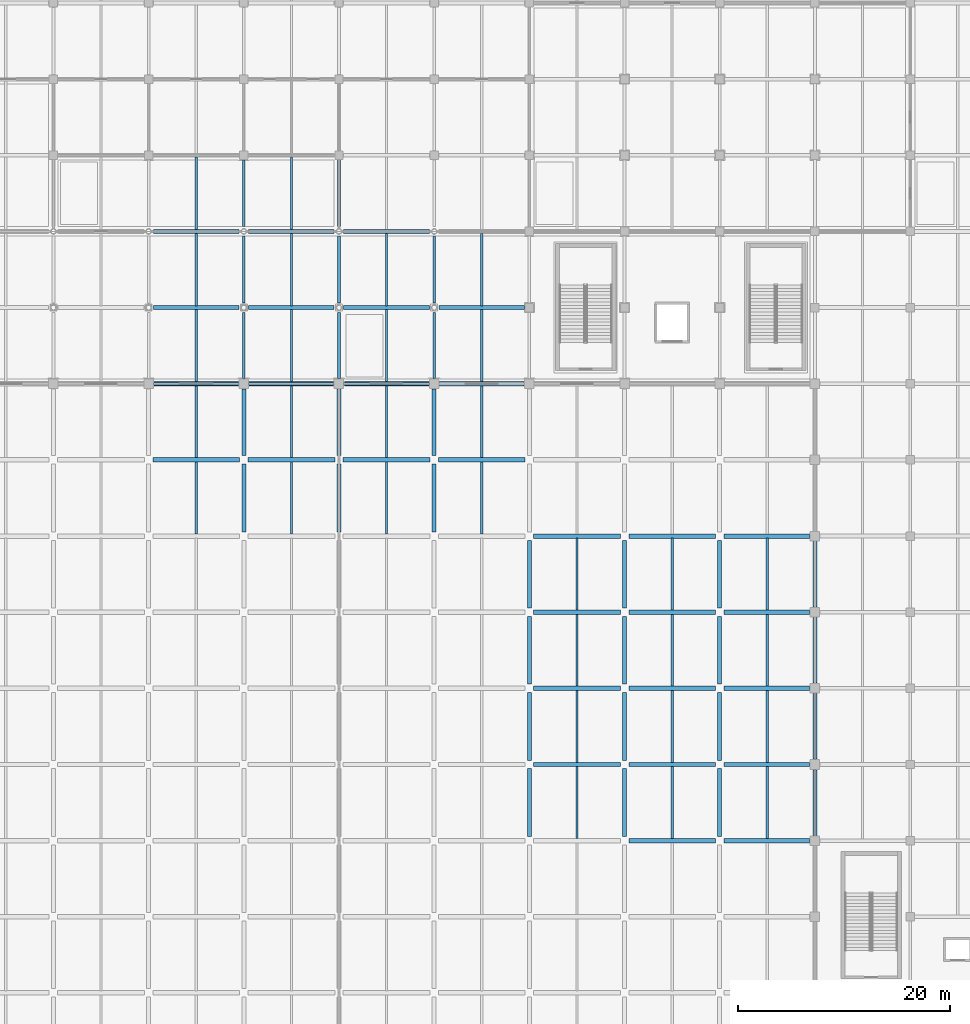
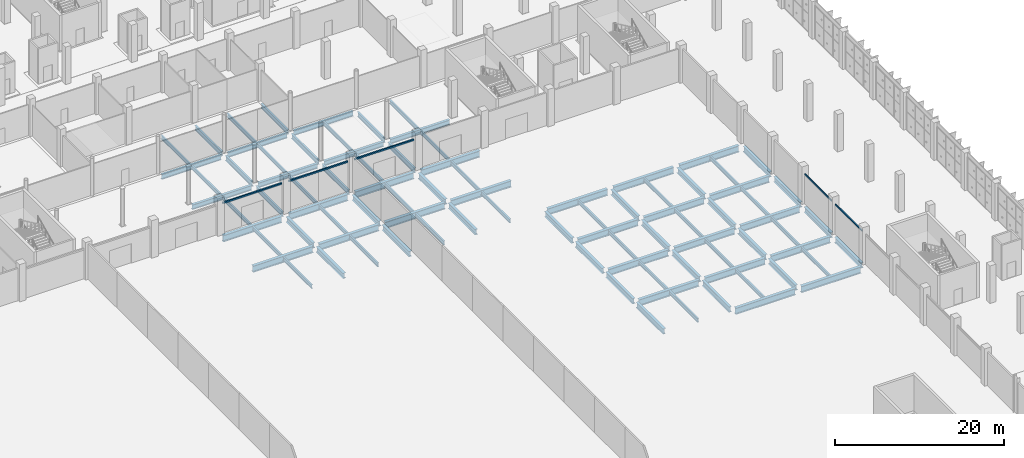
# One storey, part 24 of 137: 94 beams.
"""IFC4 building model written with IfcOpenShell, lengths in metres."""

from ifc_helpers import new_model, si_unit, direction, frame, origin, origin_2d, place, context, subcontext, project, spatial, hollow_rectangle, i_section, extrude, material, material_profile, profile_set, type_object, element, save


model = new_model("IFC4")

# Units and contexts
model_context = context("Model", 3, precision=1e-05, world=origin(), true_north=direction((0.0, 1.0)))
body_context = subcontext(model_context, "Body", "Model", "MODEL_VIEW")
ifc_project = project(units=[si_unit("LENGTHUNIT", "METRE"), si_unit("AREAUNIT", "SQUARE_METRE"), si_unit("VOLUMEUNIT", "CUBIC_METRE"), si_unit("PLANEANGLEUNIT", "RADIAN"), si_unit("MASSUNIT", "GRAM", prefix="KILO")], contexts=[model_context])

# Site, building, storey
site_placement = place(None, origin())
site = spatial("IfcSite", under=ifc_project, at=site_placement, CompositionType="ELEMENT")
building_placement = place(site_placement, origin())
building = spatial("IfcBuilding", under=site, at=building_placement, Name="Celestram Park Convention Centre", CompositionType="ELEMENT")
storey_placement = place(building_placement, origin())
storey = spatial("IfcBuildingStorey", under=building, at=storey_placement, Name="L00", CompositionType="ELEMENT", Elevation=0.0)

# Beams
ifc_material_1 = material(Name="Steel ASTM A992 Grade 50", Category="steel")
ifc_material_profile_1 = material_profile(ifc_material_1, i_section(OverallWidth=0.35595703125, OverallDepth=0.696044921875, WebThickness=0.015380859375, FlangeThickness=0.02490234375, at=origin_2d()), Name="W27X146")
ifc_profile_set_1 = profile_set([ifc_material_profile_1], Name="Steel ASTM A992 Grade 50")
beam_type_1 = type_object("IfcBeamType", Name="STR-BM-W27X146", PredefinedType="BEAM", material=ifc_profile_set_1)
for number, where, z_axis, x_axis, name in (
    (1, (63.447998046875, 115.199951171875, -0.66796875), (1.0, 0.0, 0.0), (0.0, 1.0, 0.0), "Primary X-girder BG-L00-0301"),
    (2, (63.447998046875, 122.39990234375, -0.66796875), (1.0, 0.0, 0.0), (0.0, 1.0, 0.0), "Primary X-girder BG-L00-0303"),
    (3, (72.447998046875, 115.199951171875, -0.66796875), (1.0, 0.0, 0.0), (0.0, 1.0, 0.0), "Primary X-girder BG-L00-0346"),
    (4, (72.447998046875, 122.39990234375, -0.66796875), (1.0, 0.0, 0.0), (0.0, 1.0, 0.0), "Primary X-girder BG-L00-0348"),
    (5, (81.447998046875, 115.199951171875, -0.66796875), (1.0, 0.0, 0.0), (0.0, 1.0, 0.0), "Primary X-girder BG-L00-0393"),
    (6, (81.447998046875, 122.39990234375, -0.66796875), (1.0, 0.0, 0.0), (0.0, 1.0, 0.0), "Primary X-girder BG-L00-0395"),
    (7, (90.447998046875, 115.199951171875, -0.66796875), (1.0, 0.0, 0.0), (0.0, 1.0, 0.0), "Primary X-girder BG-L00-0438"),
):
    element("IfcBeam", number, at=place(storey_placement, frame(where, z_axis=z_axis, x_axis=x_axis)), inside=storey, type_object=beam_type_1, Name=name, PredefinedType="BEAM", context=body_context, shape_type="SweptSolid", body=[
        extrude(i_section(OverallWidth=0.35595703125, OverallDepth=0.696044921875, WebThickness=0.015380859375, FlangeThickness=0.02490234375, at=origin_2d()), origin(), (0.0, 0.0, 1.0), 8.10400390625),
    ])
ifc_material_profile_2 = material_profile(ifc_material_1, i_section(OverallWidth=0.25390625, OverallDepth=0.68310546875, WebThickness=0.012451171875, FlangeThickness=0.01904296875, at=origin_2d()), Name="W27X94")
ifc_profile_set_2 = profile_set([ifc_material_profile_2], Name="Steel ASTM A992 Grade 50")
beam_type_2 = type_object("IfcBeamType", Name="STR-BM-W27X94", PredefinedType="BEAM", material=ifc_profile_set_2)
beam_1_placement = place(storey_placement, frame((72.0, 108.498046875, -0.66162109375), z_axis=(0.0, 1.0, 0.0), x_axis=(-1.0, 0.0, 0.0)))
element("IfcBeam", 8, at=beam_1_placement, inside=storey, type_object=beam_type_2, Name="Primary Y-girder BG-L00-0345", PredefinedType="BEAM", context=body_context, shape_type="SweptSolid", body=[
    extrude(i_section(OverallWidth=0.25390625, OverallDepth=0.68310546875, WebThickness=0.012451171875, FlangeThickness=0.01904296875, at=origin_2d()), origin(), (0.0, 0.0, 1.0), 6.25390625),
])
beam_2_placement = place(storey_placement, frame((72.0, 115.64794921875, -0.66162109375), z_axis=(0.0, 1.0, 0.0), x_axis=(-1.0, 0.0, 0.0)))
element("IfcBeam", 9, at=beam_2_placement, inside=storey, type_object=beam_type_2, Name="Primary Y-girder BG-L00-0347", PredefinedType="BEAM", context=body_context, shape_type="SweptSolid", body=[
    extrude(i_section(OverallWidth=0.25390625, OverallDepth=0.68310546875, WebThickness=0.012451171875, FlangeThickness=0.01904296875, at=origin_2d()), origin(), (0.0, 0.0, 1.0), 6.303955078125),
])
beam_3_placement = place(storey_placement, frame((72.0, 122.847900390625, -0.66162109375), z_axis=(0.0, 1.0, 0.0), x_axis=(-1.0, 0.0, 0.0)))
element("IfcBeam", 10, at=beam_3_placement, inside=storey, type_object=beam_type_2, Name="Primary Y-girder BG-L00-0349", PredefinedType="BEAM", context=body_context, shape_type="SweptSolid", body=[
    extrude(i_section(OverallWidth=0.25390625, OverallDepth=0.68310546875, WebThickness=0.012451171875, FlangeThickness=0.01904296875, at=origin_2d()), origin(), (0.0, 0.0, 1.0), 6.30419921875),
])
beam_4_placement = place(storey_placement, frame((81.0, 108.498046875, -0.66162109375), z_axis=(0.0, 1.0, 0.0), x_axis=(-1.0, 0.0, 0.0)))
element("IfcBeam", 11, at=beam_4_placement, inside=storey, type_object=beam_type_2, Name="Primary Y-girder BG-L00-0392", PredefinedType="BEAM", context=body_context, shape_type="SweptSolid", body=[
    extrude(i_section(OverallWidth=0.25390625, OverallDepth=0.68310546875, WebThickness=0.012451171875, FlangeThickness=0.01904296875, at=origin_2d()), origin(), (0.0, 0.0, 1.0), 6.25390625),
])
beam_5_placement = place(storey_placement, frame((81.0, 115.64794921875, -0.66162109375), z_axis=(0.0, 1.0, 0.0), x_axis=(-1.0, 0.0, 0.0)))
element("IfcBeam", 12, at=beam_5_placement, inside=storey, type_object=beam_type_2, Name="Primary Y-girder BG-L00-0394", PredefinedType="BEAM", context=body_context, shape_type="SweptSolid", body=[
    extrude(i_section(OverallWidth=0.25390625, OverallDepth=0.68310546875, WebThickness=0.012451171875, FlangeThickness=0.01904296875, at=origin_2d()), origin(), (0.0, 0.0, 1.0), 6.303955078125),
])
beam_6_placement = place(storey_placement, frame((81.0, 122.847900390625, -0.66162109375), z_axis=(0.0, 1.0, 0.0), x_axis=(-1.0, 0.0, 0.0)))
element("IfcBeam", 13, at=beam_6_placement, inside=storey, type_object=beam_type_2, Name="Primary Y-girder BG-L00-0396", PredefinedType="BEAM", context=body_context, shape_type="SweptSolid", body=[
    extrude(i_section(OverallWidth=0.25390625, OverallDepth=0.68310546875, WebThickness=0.012451171875, FlangeThickness=0.01904296875, at=origin_2d()), origin(), (0.0, 0.0, 1.0), 6.30419921875),
])
beam_7_placement = place(storey_placement, frame((90.0, 108.498046875, -0.66162109375), z_axis=(0.0, 1.0, 0.0), x_axis=(-1.0, 0.0, 0.0)))
element("IfcBeam", 14, at=beam_7_placement, inside=storey, type_object=beam_type_2, Name="Primary Y-girder BG-L00-0437", PredefinedType="BEAM", context=body_context, shape_type="SweptSolid", body=[
    extrude(i_section(OverallWidth=0.25390625, OverallDepth=0.68310546875, WebThickness=0.012451171875, FlangeThickness=0.01904296875, at=origin_2d()), origin(), (0.0, 0.0, 1.0), 6.25390625),
])
beam_8_placement = place(storey_placement, frame((90.0, 115.64794921875, -0.66162109375), z_axis=(0.0, 1.0, 0.0), x_axis=(-1.0, 0.0, 0.0)))
element("IfcBeam", 15, at=beam_8_placement, inside=storey, type_object=beam_type_2, Name="Primary Y-girder BG-L00-0439", PredefinedType="BEAM", context=body_context, shape_type="SweptSolid", body=[
    extrude(i_section(OverallWidth=0.25390625, OverallDepth=0.68310546875, WebThickness=0.012451171875, FlangeThickness=0.01904296875, at=origin_2d()), origin(), (0.0, 0.0, 1.0), 6.303955078125),
])
ifc_material_profile_3 = material_profile(ifc_material_1, i_section(OverallWidth=0.381103515625, OverallDepth=0.77197265625, WebThickness=0.0166015625, FlangeThickness=0.027099609375, at=origin_2d()), Name="W30X173")
ifc_profile_set_3 = profile_set([ifc_material_profile_3], Name="Steel ASTM A992 Grade 50")
beam_type_3 = type_object("IfcBeamType", Name="STR-BM-W30X173", PredefinedType="BEAM", material=ifc_profile_set_3)
beam_9_placement = place(storey_placement, frame((72.0, 93.998046875, -0.74609375), z_axis=(0.0, 1.0, 0.0), x_axis=(-1.0, 0.0, 0.0)))
element("IfcBeam", 16, at=beam_9_placement, inside=storey, type_object=beam_type_3, Name="Primary Y-girder BG-L00-0341", PredefinedType="BEAM", context=body_context, shape_type="SweptSolid", body=[
    extrude(i_section(OverallWidth=0.381103515625, OverallDepth=0.77197265625, WebThickness=0.0166015625, FlangeThickness=0.027099609375, at=origin_2d()), origin(), (0.0, 0.0, 1.0), 6.404052734375),
])
beam_10_placement = place(storey_placement, frame((72.0, 101.197998046875, -0.74609375), z_axis=(0.0, 1.0, 0.0), x_axis=(-1.0, 0.0, 0.0)))
element("IfcBeam", 17, at=beam_10_placement, inside=storey, type_object=beam_type_3, Name="Primary Y-girder BG-L00-0343", PredefinedType="BEAM", context=body_context, shape_type="SweptSolid", body=[
    extrude(i_section(OverallWidth=0.381103515625, OverallDepth=0.77197265625, WebThickness=0.0166015625, FlangeThickness=0.027099609375, at=origin_2d()), origin(), (0.0, 0.0, 1.0), 6.303955078125),
])
beam_11_placement = place(storey_placement, frame((81.0, 93.998046875, -0.74609375), z_axis=(0.0, 1.0, 0.0), x_axis=(-1.0, 0.0, 0.0)))
element("IfcBeam", 18, at=beam_11_placement, inside=storey, type_object=beam_type_3, Name="Primary Y-girder BG-L00-0388", PredefinedType="BEAM", context=body_context, shape_type="SweptSolid", body=[
    extrude(i_section(OverallWidth=0.381103515625, OverallDepth=0.77197265625, WebThickness=0.0166015625, FlangeThickness=0.027099609375, at=origin_2d()), origin(), (0.0, 0.0, 1.0), 6.404052734375),
])
beam_12_placement = place(storey_placement, frame((81.0, 101.197998046875, -0.74609375), z_axis=(0.0, 1.0, 0.0), x_axis=(-1.0, 0.0, 0.0)))
element("IfcBeam", 19, at=beam_12_placement, inside=storey, type_object=beam_type_3, Name="Primary Y-girder BG-L00-0390", PredefinedType="BEAM", context=body_context, shape_type="SweptSolid", body=[
    extrude(i_section(OverallWidth=0.381103515625, OverallDepth=0.77197265625, WebThickness=0.0166015625, FlangeThickness=0.027099609375, at=origin_2d()), origin(), (0.0, 0.0, 1.0), 6.303955078125),
])
beam_13_placement = place(storey_placement, frame((90.0, 93.998046875, -0.74609375), z_axis=(0.0, 1.0, 0.0), x_axis=(-1.0, 0.0, 0.0)))
element("IfcBeam", 20, at=beam_13_placement, inside=storey, type_object=beam_type_3, Name="Primary Y-girder BG-L00-0433", PredefinedType="BEAM", context=body_context, shape_type="SweptSolid", body=[
    extrude(i_section(OverallWidth=0.381103515625, OverallDepth=0.77197265625, WebThickness=0.0166015625, FlangeThickness=0.027099609375, at=origin_2d()), origin(), (0.0, 0.0, 1.0), 6.404052734375),
])
beam_14_placement = place(storey_placement, frame((90.0, 101.197998046875, -0.74609375), z_axis=(0.0, 1.0, 0.0), x_axis=(-1.0, 0.0, 0.0)))
element("IfcBeam", 21, at=beam_14_placement, inside=storey, type_object=beam_type_3, Name="Primary Y-girder BG-L00-0435", PredefinedType="BEAM", context=body_context, shape_type="SweptSolid", body=[
    extrude(i_section(OverallWidth=0.381103515625, OverallDepth=0.77197265625, WebThickness=0.0166015625, FlangeThickness=0.027099609375, at=origin_2d()), origin(), (0.0, 0.0, 1.0), 6.303955078125),
])
for number, where, z_axis, x_axis, name in (
    (22, (99.0, 65.197998046875, -0.74609375), (0.0, 1.0, 0.0), (-1.0, 0.0, 0.0), "Primary Y-girder BG-L00-0470"),
    (23, (99.0, 72.39794921875, -0.74609375), (0.0, 1.0, 0.0), (-1.0, 0.0, 0.0), "Primary Y-girder BG-L00-0472"),
    (24, (99.0, 79.597900390625, -0.74609375), (0.0, 1.0, 0.0), (-1.0, 0.0, 0.0), "Primary Y-girder BG-L00-0474"),
):
    element("IfcBeam", number, at=place(storey_placement, frame(where, z_axis=z_axis, x_axis=x_axis)), inside=storey, type_object=beam_type_3, Name=name, PredefinedType="BEAM", context=body_context, shape_type="SweptSolid", body=[
        extrude(i_section(OverallWidth=0.381103515625, OverallDepth=0.77197265625, WebThickness=0.0166015625, FlangeThickness=0.027099609375, at=origin_2d()), origin(), (0.0, 0.0, 1.0), 6.404052734375),
    ])
beam_15_placement = place(storey_placement, frame((99.0, 86.798095703125, -0.74609375), z_axis=(0.0, 1.0, 0.0), x_axis=(-1.0, 0.0, 0.0)))
element("IfcBeam", 25, at=beam_15_placement, inside=storey, type_object=beam_type_3, Name="Primary Y-girder BG-L00-0476", PredefinedType="BEAM", context=body_context, shape_type="SweptSolid", body=[
    extrude(i_section(OverallWidth=0.381103515625, OverallDepth=0.77197265625, WebThickness=0.0166015625, FlangeThickness=0.027099609375, at=origin_2d()), origin(), (0.0, 0.0, 1.0), 6.40380859375),
])
for number, where, z_axis, x_axis, name in (
    (26, (108.0, 65.197998046875, -0.74609375), (0.0, 1.0, 0.0), (-1.0, 0.0, 0.0), "Primary Y-girder BG-L00-0515"),
    (27, (108.0, 72.39794921875, -0.74609375), (0.0, 1.0, 0.0), (-1.0, 0.0, 0.0), "Primary Y-girder BG-L00-0517"),
    (28, (108.0, 79.597900390625, -0.74609375), (0.0, 1.0, 0.0), (-1.0, 0.0, 0.0), "Primary Y-girder BG-L00-0519"),
):
    element("IfcBeam", number, at=place(storey_placement, frame(where, z_axis=z_axis, x_axis=x_axis)), inside=storey, type_object=beam_type_3, Name=name, PredefinedType="BEAM", context=body_context, shape_type="SweptSolid", body=[
        extrude(i_section(OverallWidth=0.381103515625, OverallDepth=0.77197265625, WebThickness=0.0166015625, FlangeThickness=0.027099609375, at=origin_2d()), origin(), (0.0, 0.0, 1.0), 6.404052734375),
    ])
beam_16_placement = place(storey_placement, frame((108.0, 86.798095703125, -0.74609375), z_axis=(0.0, 1.0, 0.0), x_axis=(-1.0, 0.0, 0.0)))
element("IfcBeam", 29, at=beam_16_placement, inside=storey, type_object=beam_type_3, Name="Primary Y-girder BG-L00-0521", PredefinedType="BEAM", context=body_context, shape_type="SweptSolid", body=[
    extrude(i_section(OverallWidth=0.381103515625, OverallDepth=0.77197265625, WebThickness=0.0166015625, FlangeThickness=0.027099609375, at=origin_2d()), origin(), (0.0, 0.0, 1.0), 6.40380859375),
])
for number, where, z_axis, x_axis, name in (
    (30, (117.0, 65.197998046875, -0.74609375), (0.0, 1.0, 0.0), (-1.0, 0.0, 0.0), "Primary Y-girder BG-L00-0556"),
    (31, (117.0, 72.39794921875, -0.74609375), (0.0, 1.0, 0.0), (-1.0, 0.0, 0.0), "Primary Y-girder BG-L00-0558"),
    (32, (117.0, 79.597900390625, -0.74609375), (0.0, 1.0, 0.0), (-1.0, 0.0, 0.0), "Primary Y-girder BG-L00-0560"),
):
    element("IfcBeam", number, at=place(storey_placement, frame(where, z_axis=z_axis, x_axis=x_axis)), inside=storey, type_object=beam_type_3, Name=name, PredefinedType="BEAM", context=body_context, shape_type="SweptSolid", body=[
        extrude(i_section(OverallWidth=0.381103515625, OverallDepth=0.77197265625, WebThickness=0.0166015625, FlangeThickness=0.027099609375, at=origin_2d()), origin(), (0.0, 0.0, 1.0), 6.404052734375),
    ])
beam_17_placement = place(storey_placement, frame((117.0, 86.798095703125, -0.74609375), z_axis=(0.0, 1.0, 0.0), x_axis=(-1.0, 0.0, 0.0)))
element("IfcBeam", 33, at=beam_17_placement, inside=storey, type_object=beam_type_3, Name="Primary Y-girder BG-L00-0562", PredefinedType="BEAM", context=body_context, shape_type="SweptSolid", body=[
    extrude(i_section(OverallWidth=0.381103515625, OverallDepth=0.77197265625, WebThickness=0.0166015625, FlangeThickness=0.027099609375, at=origin_2d()), origin(), (0.0, 0.0, 1.0), 6.40380859375),
])
for number, where, z_axis, x_axis, name in (
    (34, (126.0, 65.298095703125, -0.74609375), (0.0, 1.0, 0.0), (-1.0, 0.0, 0.0), "Primary Y-girder BG-L00-0595"),
    (35, (126.0, 72.498046875, -0.74609375), (0.0, 1.0, 0.0), (-1.0, 0.0, 0.0), "Primary Y-girder BG-L00-0597"),
):
    element("IfcBeam", number, at=place(storey_placement, frame(where, z_axis=z_axis, x_axis=x_axis)), inside=storey, type_object=beam_type_3, Name=name, PredefinedType="BEAM", context=body_context, shape_type="SweptSolid", body=[
        extrude(i_section(OverallWidth=0.381103515625, OverallDepth=0.77197265625, WebThickness=0.0166015625, FlangeThickness=0.027099609375, at=origin_2d()), origin(), (0.0, 0.0, 1.0), 6.203857421875),
    ])
for number, where, z_axis, x_axis, name in (
    (36, (126.0, 79.697998046875, -0.74609375), (0.0, 1.0, 0.0), (-1.0, 0.0, 0.0), "Primary Y-girder BG-L00-0599"),
    (37, (126.0, 86.89794921875, -0.74609375), (0.0, 1.0, 0.0), (-1.0, 0.0, 0.0), "Primary Y-girder BG-L00-0601"),
):
    element("IfcBeam", number, at=place(storey_placement, frame(where, z_axis=z_axis, x_axis=x_axis)), inside=storey, type_object=beam_type_3, Name=name, PredefinedType="BEAM", context=body_context, shape_type="SweptSolid", body=[
        extrude(i_section(OverallWidth=0.381103515625, OverallDepth=0.77197265625, WebThickness=0.0166015625, FlangeThickness=0.027099609375, at=origin_2d()), origin(), (0.0, 0.0, 1.0), 6.2041015625),
    ])
ifc_material_profile_4 = material_profile(ifc_material_1, i_section(OverallWidth=0.4189453125, OverallDepth=0.927001953125, WebThickness=0.019287109375, FlangeThickness=0.031982421875, at=origin_2d()), Name="W36X231")
ifc_profile_set_4 = profile_set([ifc_material_profile_4], Name="Steel ASTM A992 Grade 50")
beam_type_4 = type_object("IfcBeamType", Name="STR-BM-W36X231", PredefinedType="BEAM", material=ifc_profile_set_4)
beam_18_placement = place(storey_placement, frame((63.39794921875, 100.800048828125, -0.823486328125), z_axis=(1.0, 0.0, 0.0), x_axis=(0.0, 1.0, 0.0)))
element("IfcBeam", 38, at=beam_18_placement, inside=storey, type_object=beam_type_4, Name="Primary X-girder BG-L00-0297", PredefinedType="BEAM", context=body_context, shape_type="SweptSolid", body=[
    extrude(i_section(OverallWidth=0.4189453125, OverallDepth=0.927001953125, WebThickness=0.019287109375, FlangeThickness=0.031982421875, at=origin_2d()), origin(), (0.0, 0.0, 1.0), 8.2041015625),
])
beam_19_placement = place(storey_placement, frame((63.498046875, 108.0, -0.823486328125), z_axis=(1.0, 0.0, 0.0), x_axis=(0.0, 1.0, 0.0)))
element("IfcBeam", 39, at=beam_19_placement, inside=storey, type_object=beam_type_4, Name="Primary X-girder BG-L00-0299", PredefinedType="BEAM", context=body_context, shape_type="SweptSolid", body=[
    extrude(i_section(OverallWidth=0.4189453125, OverallDepth=0.927001953125, WebThickness=0.019287109375, FlangeThickness=0.031982421875, at=origin_2d()), origin(), (0.0, 0.0, 1.0), 8.00390625),
])
beam_20_placement = place(storey_placement, frame((72.39794921875, 100.800048828125, -0.823486328125), z_axis=(1.0, 0.0, 0.0), x_axis=(0.0, 1.0, 0.0)))
element("IfcBeam", 40, at=beam_20_placement, inside=storey, type_object=beam_type_4, Name="Primary X-girder BG-L00-0342", PredefinedType="BEAM", context=body_context, shape_type="SweptSolid", body=[
    extrude(i_section(OverallWidth=0.4189453125, OverallDepth=0.927001953125, WebThickness=0.019287109375, FlangeThickness=0.031982421875, at=origin_2d()), origin(), (0.0, 0.0, 1.0), 8.2041015625),
])
beam_21_placement = place(storey_placement, frame((72.498046875, 108.0, -0.823486328125), z_axis=(1.0, 0.0, 0.0), x_axis=(0.0, 1.0, 0.0)))
element("IfcBeam", 41, at=beam_21_placement, inside=storey, type_object=beam_type_4, Name="Primary X-girder BG-L00-0344", PredefinedType="BEAM", context=body_context, shape_type="SweptSolid", body=[
    extrude(i_section(OverallWidth=0.4189453125, OverallDepth=0.927001953125, WebThickness=0.019287109375, FlangeThickness=0.031982421875, at=origin_2d()), origin(), (0.0, 0.0, 1.0), 8.00390625),
])
beam_22_placement = place(storey_placement, frame((81.39794921875, 100.800048828125, -0.823486328125), z_axis=(1.0, 0.0, 0.0), x_axis=(0.0, 1.0, 0.0)))
element("IfcBeam", 42, at=beam_22_placement, inside=storey, type_object=beam_type_4, Name="Primary X-girder BG-L00-0389", PredefinedType="BEAM", context=body_context, shape_type="SweptSolid", body=[
    extrude(i_section(OverallWidth=0.4189453125, OverallDepth=0.927001953125, WebThickness=0.019287109375, FlangeThickness=0.031982421875, at=origin_2d()), origin(), (0.0, 0.0, 1.0), 8.2041015625),
])
beam_23_placement = place(storey_placement, frame((81.498046875, 108.0, -0.823486328125), z_axis=(1.0, 0.0, 0.0), x_axis=(0.0, 1.0, 0.0)))
element("IfcBeam", 43, at=beam_23_placement, inside=storey, type_object=beam_type_4, Name="Primary X-girder BG-L00-0391", PredefinedType="BEAM", context=body_context, shape_type="SweptSolid", body=[
    extrude(i_section(OverallWidth=0.4189453125, OverallDepth=0.927001953125, WebThickness=0.019287109375, FlangeThickness=0.031982421875, at=origin_2d()), origin(), (0.0, 0.0, 1.0), 8.00390625),
])
beam_24_placement = place(storey_placement, frame((90.39794921875, 100.800048828125, -0.823486328125), z_axis=(1.0, 0.0, 0.0), x_axis=(0.0, 1.0, 0.0)))
element("IfcBeam", 44, at=beam_24_placement, inside=storey, type_object=beam_type_4, Name="Primary X-girder BG-L00-0434", PredefinedType="BEAM", context=body_context, shape_type="SweptSolid", body=[
    extrude(i_section(OverallWidth=0.4189453125, OverallDepth=0.927001953125, WebThickness=0.019287109375, FlangeThickness=0.031982421875, at=origin_2d()), origin(), (0.0, 0.0, 1.0), 8.2041015625),
])
beam_25_placement = place(storey_placement, frame((90.498046875, 108.0, -0.823486328125), z_axis=(1.0, 0.0, 0.0), x_axis=(0.0, 1.0, 0.0)))
element("IfcBeam", 45, at=beam_25_placement, inside=storey, type_object=beam_type_4, Name="Primary X-girder BG-L00-0436", PredefinedType="BEAM", context=body_context, shape_type="SweptSolid", body=[
    extrude(i_section(OverallWidth=0.4189453125, OverallDepth=0.927001953125, WebThickness=0.019287109375, FlangeThickness=0.031982421875, at=origin_2d()), origin(), (0.0, 0.0, 1.0), 8.00390625),
])
for number, where, z_axis, x_axis, name in (
    (46, (99.39794921875, 72.0, -0.823486328125), (1.0, 0.0, 0.0), (0.0, 1.0, 0.0), "Primary X-girder BG-L00-0471"),
    (47, (99.39794921875, 79.199951171875, -0.823486328125), (1.0, 0.0, 0.0), (0.0, 1.0, 0.0), "Primary X-girder BG-L00-0473"),
    (48, (99.39794921875, 86.39990234375, -0.823486328125), (1.0, 0.0, 0.0), (0.0, 1.0, 0.0), "Primary X-girder BG-L00-0475"),
    (49, (99.39794921875, 93.60009765625, -0.823486328125), (1.0, 0.0, 0.0), (0.0, 1.0, 0.0), "Primary X-girder BG-L00-0477"),
    (50, (108.39794921875, 64.800048828125, -0.823486328125), (1.0, 0.0, 0.0), (0.0, 1.0, 0.0), "Primary X-girder BG-L00-0514"),
    (51, (108.39794921875, 72.0, -0.823486328125), (1.0, 0.0, 0.0), (0.0, 1.0, 0.0), "Primary X-girder BG-L00-0516"),
    (52, (108.39794921875, 79.199951171875, -0.823486328125), (1.0, 0.0, 0.0), (0.0, 1.0, 0.0), "Primary X-girder BG-L00-0518"),
    (53, (108.39794921875, 86.39990234375, -0.823486328125), (1.0, 0.0, 0.0), (0.0, 1.0, 0.0), "Primary X-girder BG-L00-0520"),
    (54, (108.39794921875, 93.60009765625, -0.823486328125), (1.0, 0.0, 0.0), (0.0, 1.0, 0.0), "Primary X-girder BG-L00-0522"),
):
    element("IfcBeam", number, at=place(storey_placement, frame(where, z_axis=z_axis, x_axis=x_axis)), inside=storey, type_object=beam_type_4, Name=name, PredefinedType="BEAM", context=body_context, shape_type="SweptSolid", body=[
        extrude(i_section(OverallWidth=0.4189453125, OverallDepth=0.927001953125, WebThickness=0.019287109375, FlangeThickness=0.031982421875, at=origin_2d()), origin(), (0.0, 0.0, 1.0), 8.2041015625),
    ])
for number, where, z_axis, x_axis, name in (
    (55, (117.39794921875, 64.800048828125, -0.823486328125), (1.0, 0.0, 0.0), (0.0, 1.0, 0.0), "Primary X-girder BG-L00-0555"),
    (56, (117.39794921875, 72.0, -0.823486328125), (1.0, 0.0, 0.0), (0.0, 1.0, 0.0), "Primary X-girder BG-L00-0557"),
    (57, (117.39794921875, 79.199951171875, -0.823486328125), (1.0, 0.0, 0.0), (0.0, 1.0, 0.0), "Primary X-girder BG-L00-0559"),
    (58, (117.39794921875, 86.39990234375, -0.823486328125), (1.0, 0.0, 0.0), (0.0, 1.0, 0.0), "Primary X-girder BG-L00-0561"),
    (59, (117.39794921875, 93.60009765625, -0.823486328125), (1.0, 0.0, 0.0), (0.0, 1.0, 0.0), "Primary X-girder BG-L00-0563"),
):
    element("IfcBeam", number, at=place(storey_placement, frame(where, z_axis=z_axis, x_axis=x_axis)), inside=storey, type_object=beam_type_4, Name=name, PredefinedType="BEAM", context=body_context, shape_type="SweptSolid", body=[
        extrude(i_section(OverallWidth=0.4189453125, OverallDepth=0.927001953125, WebThickness=0.019287109375, FlangeThickness=0.031982421875, at=origin_2d()), origin(), (0.0, 0.0, 1.0), 8.10400390625),
    ])
ifc_material_profile_5 = material_profile(ifc_material_1, i_section(OverallWidth=0.2099609375, OverallDepth=0.532958984375, WebThickness=0.01025390625, FlangeThickness=0.015625, at=origin_2d()), Name="W21X62")
ifc_profile_set_5 = profile_set([ifc_material_profile_5], Name="Steel ASTM A992 Grade 50")
beam_type_5 = type_object("IfcBeamType", Name="STR-JST-W21X62", PredefinedType="JOIST", material=ifc_profile_set_5)
beam_26_placement = place(storey_placement, frame((67.5, 108.205078125, -0.58642578125), z_axis=(0.0, 1.0, 0.0), x_axis=(-1.0, 0.0, 0.0)))
element("IfcBeam", 60, at=beam_26_placement, inside=storey, type_object=beam_type_5, Name="Secondary composite joist BG-L00-1018", PredefinedType="JOIST", context=body_context, shape_type="SweptSolid", body=[
    extrude(i_section(OverallWidth=0.2099609375, OverallDepth=0.532958984375, WebThickness=0.01025390625, FlangeThickness=0.015625, at=origin_2d()), origin(), (0.0, 0.0, 1.0), 6.82080078125),
])
for number, where, z_axis, x_axis, name in (
    (61, (67.5, 115.3740234375, -0.58642578125), (0.0, 1.0, 0.0), (-1.0, 0.0, 0.0), "Secondary composite joist BG-L00-1019"),
    (62, (67.5, 122.573974609375, -0.58642578125), (0.0, 1.0, 0.0), (-1.0, 0.0, 0.0), "Secondary composite joist BG-L00-1020"),
):
    element("IfcBeam", number, at=place(storey_placement, frame(where, z_axis=z_axis, x_axis=x_axis)), inside=storey, type_object=beam_type_5, Name=name, PredefinedType="JOIST", context=body_context, shape_type="SweptSolid", body=[
        extrude(i_section(OverallWidth=0.2099609375, OverallDepth=0.532958984375, WebThickness=0.01025390625, FlangeThickness=0.015625, at=origin_2d()), origin(), (0.0, 0.0, 1.0), 6.85205078125),
    ])
beam_27_placement = place(storey_placement, frame((76.5, 108.205078125, -0.58642578125), z_axis=(0.0, 1.0, 0.0), x_axis=(-1.0, 0.0, 0.0)))
element("IfcBeam", 63, at=beam_27_placement, inside=storey, type_object=beam_type_5, Name="Secondary composite joist BG-L00-1038", PredefinedType="JOIST", context=body_context, shape_type="SweptSolid", body=[
    extrude(i_section(OverallWidth=0.2099609375, OverallDepth=0.532958984375, WebThickness=0.01025390625, FlangeThickness=0.015625, at=origin_2d()), origin(), (0.0, 0.0, 1.0), 6.82080078125),
])
for number, where, z_axis, x_axis, name in (
    (64, (76.5, 115.3740234375, -0.58642578125), (0.0, 1.0, 0.0), (-1.0, 0.0, 0.0), "Secondary composite joist BG-L00-1039"),
    (65, (76.5, 122.573974609375, -0.58642578125), (0.0, 1.0, 0.0), (-1.0, 0.0, 0.0), "Secondary composite joist BG-L00-1040"),
):
    element("IfcBeam", number, at=place(storey_placement, frame(where, z_axis=z_axis, x_axis=x_axis)), inside=storey, type_object=beam_type_5, Name=name, PredefinedType="JOIST", context=body_context, shape_type="SweptSolid", body=[
        extrude(i_section(OverallWidth=0.2099609375, OverallDepth=0.532958984375, WebThickness=0.01025390625, FlangeThickness=0.015625, at=origin_2d()), origin(), (0.0, 0.0, 1.0), 6.85205078125),
    ])
beam_28_placement = place(storey_placement, frame((85.5, 108.205078125, -0.58642578125), z_axis=(0.0, 1.0, 0.0), x_axis=(-1.0, 0.0, 0.0)))
element("IfcBeam", 66, at=beam_28_placement, inside=storey, type_object=beam_type_5, Name="Secondary composite joist BG-L00-1061", PredefinedType="JOIST", context=body_context, shape_type="SweptSolid", body=[
    extrude(i_section(OverallWidth=0.2099609375, OverallDepth=0.532958984375, WebThickness=0.01025390625, FlangeThickness=0.015625, at=origin_2d()), origin(), (0.0, 0.0, 1.0), 6.82080078125),
])
beam_29_placement = place(storey_placement, frame((85.5, 115.3740234375, -0.58642578125), z_axis=(0.0, 1.0, 0.0), x_axis=(-1.0, 0.0, 0.0)))
element("IfcBeam", 67, at=beam_29_placement, inside=storey, type_object=beam_type_5, Name="Secondary composite joist BG-L00-1062", PredefinedType="JOIST", context=body_context, shape_type="SweptSolid", body=[
    extrude(i_section(OverallWidth=0.2099609375, OverallDepth=0.532958984375, WebThickness=0.01025390625, FlangeThickness=0.015625, at=origin_2d()), origin(), (0.0, 0.0, 1.0), 6.85205078125),
])
beam_30_placement = place(storey_placement, frame((94.5, 108.205078125, -0.58642578125), z_axis=(0.0, 1.0, 0.0), x_axis=(-1.0, 0.0, 0.0)))
element("IfcBeam", 68, at=beam_30_placement, inside=storey, type_object=beam_type_5, Name="Secondary composite joist BG-L00-1081", PredefinedType="JOIST", context=body_context, shape_type="SweptSolid", body=[
    extrude(i_section(OverallWidth=0.2099609375, OverallDepth=0.532958984375, WebThickness=0.01025390625, FlangeThickness=0.015625, at=origin_2d()), origin(), (0.0, 0.0, 1.0), 6.82080078125),
])
beam_31_placement = place(storey_placement, frame((94.5, 115.3740234375, -0.58642578125), z_axis=(0.0, 1.0, 0.0), x_axis=(-1.0, 0.0, 0.0)))
element("IfcBeam", 69, at=beam_31_placement, inside=storey, type_object=beam_type_5, Name="Secondary composite joist BG-L00-1082", PredefinedType="JOIST", context=body_context, shape_type="SweptSolid", body=[
    extrude(i_section(OverallWidth=0.2099609375, OverallDepth=0.532958984375, WebThickness=0.01025390625, FlangeThickness=0.015625, at=origin_2d()), origin(), (0.0, 0.0, 1.0), 6.85205078125),
])
ifc_material_profile_6 = material_profile(ifc_material_1, i_section(OverallWidth=0.214111328125, OverallDepth=0.549072265625, WebThickness=0.0146484375, FlangeThickness=0.023681640625, at=origin_2d()), Name="W21X93")
ifc_profile_set_6 = profile_set([ifc_material_profile_6], Name="Steel ASTM A992 Grade 50")
beam_type_6 = type_object("IfcBeamType", Name="STR-JST-W21X93", PredefinedType="JOIST", material=ifc_profile_set_6)
for number, where, z_axis, x_axis, name in (
    (70, (67.5, 93.804931640625, -0.634521484375), (0.0, 1.0, 0.0), (-1.0, 0.0, 0.0), "Secondary composite joist BG-L00-1016"),
    (71, (67.5, 101.0048828125, -0.634521484375), (0.0, 1.0, 0.0), (-1.0, 0.0, 0.0), "Secondary composite joist BG-L00-1017"),
    (72, (76.5, 93.804931640625, -0.634521484375), (0.0, 1.0, 0.0), (-1.0, 0.0, 0.0), "Secondary composite joist BG-L00-1036"),
    (73, (76.5, 101.0048828125, -0.634521484375), (0.0, 1.0, 0.0), (-1.0, 0.0, 0.0), "Secondary composite joist BG-L00-1037"),
    (74, (85.5, 93.804931640625, -0.634521484375), (0.0, 1.0, 0.0), (-1.0, 0.0, 0.0), "Secondary composite joist BG-L00-1059"),
    (75, (85.5, 101.0048828125, -0.634521484375), (0.0, 1.0, 0.0), (-1.0, 0.0, 0.0), "Secondary composite joist BG-L00-1060"),
    (76, (94.5, 93.804931640625, -0.634521484375), (0.0, 1.0, 0.0), (-1.0, 0.0, 0.0), "Secondary composite joist BG-L00-1079"),
    (77, (94.5, 101.0048828125, -0.634521484375), (0.0, 1.0, 0.0), (-1.0, 0.0, 0.0), "Secondary composite joist BG-L00-1080"),
    (78, (103.5, 65.0048828125, -0.634521484375), (0.0, 1.0, 0.0), (-1.0, 0.0, 0.0), "Secondary composite joist BG-L00-1095"),
    (79, (103.5, 72.205078125, -0.634521484375), (0.0, 1.0, 0.0), (-1.0, 0.0, 0.0), "Secondary composite joist BG-L00-1096"),
    (80, (103.5, 79.405029296875, -0.634521484375), (0.0, 1.0, 0.0), (-1.0, 0.0, 0.0), "Secondary composite joist BG-L00-1097"),
    (81, (103.5, 86.60498046875, -0.634521484375), (0.0, 1.0, 0.0), (-1.0, 0.0, 0.0), "Secondary composite joist BG-L00-1098"),
    (82, (112.5, 65.0048828125, -0.634521484375), (0.0, 1.0, 0.0), (-1.0, 0.0, 0.0), "Secondary composite joist BG-L00-1114"),
    (83, (112.5, 72.205078125, -0.634521484375), (0.0, 1.0, 0.0), (-1.0, 0.0, 0.0), "Secondary composite joist BG-L00-1115"),
    (84, (112.5, 79.405029296875, -0.634521484375), (0.0, 1.0, 0.0), (-1.0, 0.0, 0.0), "Secondary composite joist BG-L00-1116"),
    (85, (112.5, 86.60498046875, -0.634521484375), (0.0, 1.0, 0.0), (-1.0, 0.0, 0.0), "Secondary composite joist BG-L00-1117"),
    (86, (121.5, 65.0048828125, -0.634521484375), (0.0, 1.0, 0.0), (-1.0, 0.0, 0.0), "Secondary composite joist BG-L00-1129"),
    (87, (121.5, 72.205078125, -0.634521484375), (0.0, 1.0, 0.0), (-1.0, 0.0, 0.0), "Secondary composite joist BG-L00-1130"),
    (88, (121.5, 79.405029296875, -0.634521484375), (0.0, 1.0, 0.0), (-1.0, 0.0, 0.0), "Secondary composite joist BG-L00-1131"),
    (89, (121.5, 86.60498046875, -0.634521484375), (0.0, 1.0, 0.0), (-1.0, 0.0, 0.0), "Secondary composite joist BG-L00-1132"),
):
    element("IfcBeam", number, at=place(storey_placement, frame(where, z_axis=z_axis, x_axis=x_axis)), inside=storey, type_object=beam_type_6, Name=name, PredefinedType="JOIST", context=body_context, shape_type="SweptSolid", body=[
        extrude(i_section(OverallWidth=0.214111328125, OverallDepth=0.549072265625, WebThickness=0.0146484375, FlangeThickness=0.023681640625, at=origin_2d()), origin(), (0.0, 0.0, 1.0), 6.7900390625),
    ])
ifc_material_2 = material(Name="Steel ASTM A500 Grade C", Category="steel")
ifc_material_profile_7 = material_profile(ifc_material_2, hollow_rectangle(XDim=0.199951171875, YDim=0.199951171875, WallThickness=0.010009765625, at=origin_2d()), Name="HSS200X200X10")
ifc_profile_set_7 = profile_set([ifc_material_profile_7], Name="Steel ASTM A500 Grade C")
beam_type_7 = type_object("IfcBeamType", Name="STR-LNT-HSS200", PredefinedType="LINTEL", material=ifc_profile_set_7)
for number, where, z_axis, x_axis, name in (
    (90, (63.447998046875, 108.0, 4.25), (1.0, 0.0, 0.0), (0.0, 1.0, 0.0), "Exposition portal lintel BG-L00-1256"),
    (91, (72.447998046875, 108.0, 4.25), (1.0, 0.0, 0.0), (0.0, 1.0, 0.0), "Exposition portal lintel BG-L00-1257"),
    (92, (81.447998046875, 108.0, 4.25), (1.0, 0.0, 0.0), (0.0, 1.0, 0.0), "Exposition portal lintel BG-L00-1258"),
):
    element("IfcBeam", number, at=place(storey_placement, frame(where, z_axis=z_axis, x_axis=x_axis)), inside=storey, type_object=beam_type_7, Name=name, PredefinedType="LINTEL", context=body_context, shape_type="SweptSolid", body=[
        extrude(hollow_rectangle(XDim=0.199951171875, YDim=0.199951171875, WallThickness=0.010009765625, at=origin_2d()), origin(), (0.0, 0.0, 1.0), 8.10400390625),
    ])
ifc_material_profile_8 = material_profile(ifc_material_2, hollow_rectangle(XDim=0.1201171875, YDim=0.199951171875, WallThickness=0.008056640625, at=origin_2d()), Name="HSS200X120X8")
ifc_profile_set_8 = profile_set([ifc_material_profile_8], Name="Steel ASTM A500 Grade C")
beam_type_8 = type_object("IfcBeamType", Name="STR-LNT-HSS200X120", PredefinedType="LINTEL", material=ifc_profile_set_8)
for number, where, z_axis, x_axis, name in (
    (93, (126.0, 65.248046875, 4.25), (0.0, 1.0, 0.0), (-1.0, 0.0, 0.0), "Concourse portal lintel BG-L00-1263"),
    (94, (126.0, 72.447998046875, 4.25), (0.0, 1.0, 0.0), (-1.0, 0.0, 0.0), "Concourse portal lintel BG-L00-1264"),
):
    element("IfcBeam", number, at=place(storey_placement, frame(where, z_axis=z_axis, x_axis=x_axis)), inside=storey, type_object=beam_type_8, Name=name, PredefinedType="LINTEL", context=body_context, shape_type="SweptSolid", body=[
        extrude(hollow_rectangle(XDim=0.1201171875, YDim=0.199951171875, WallThickness=0.008056640625, at=origin_2d()), origin(), (0.0, 0.0, 1.0), 6.303955078125),
    ])

save(model, "model.ifc")
